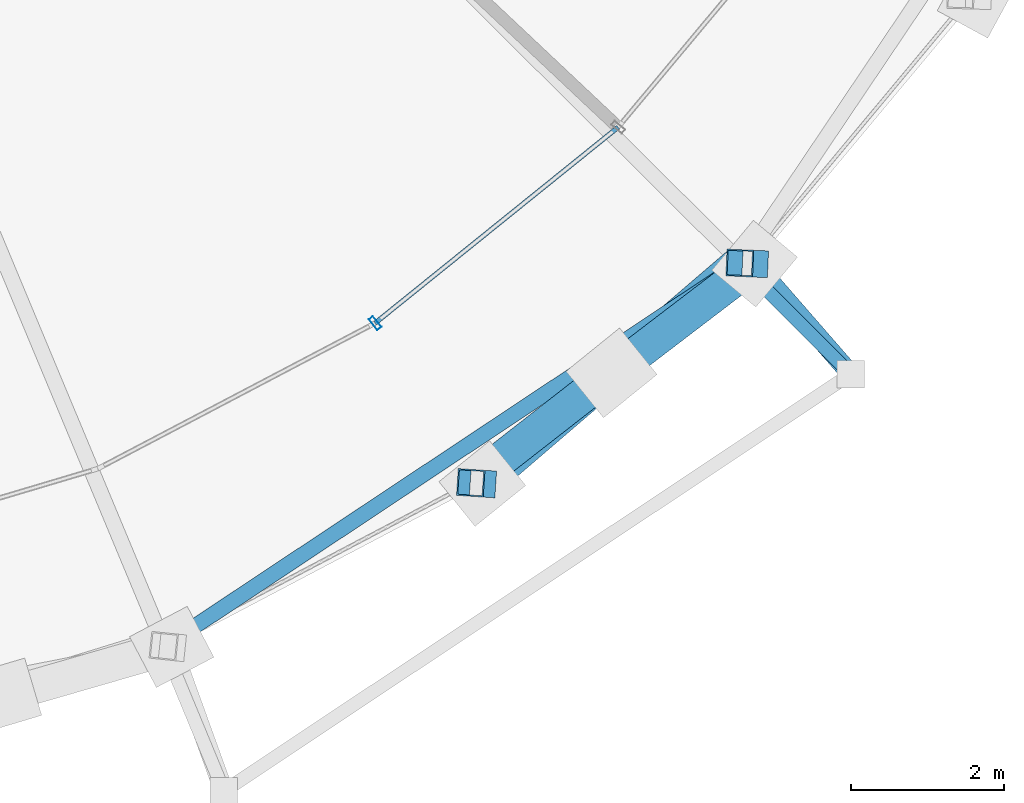
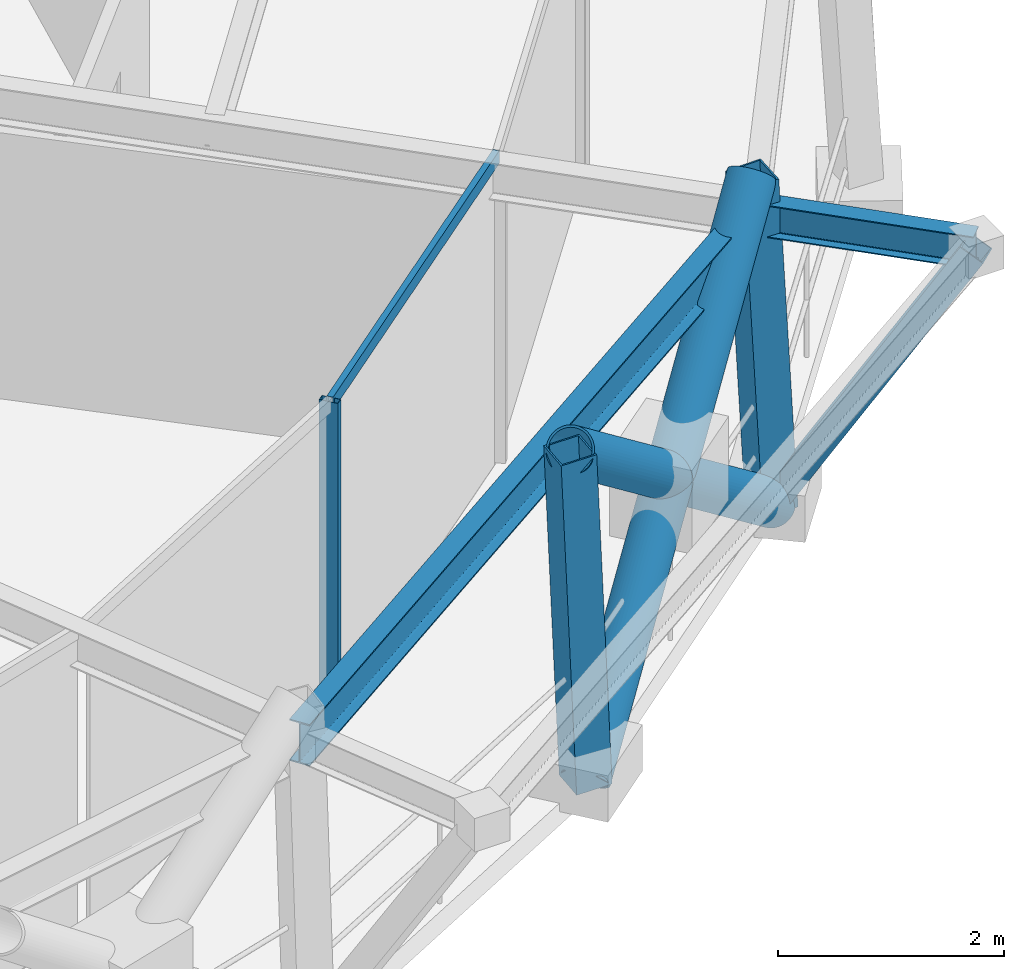
# One storey, part 4 of 18: 8 members, 2 beams, 1 element without a shape of its own.
"""IFC4 building model written with IfcOpenShell, lengths in metres."""

from ifc_helpers import new_model, si_unit, direction, frame, origin, origin_2d, place, context, subcontext, project, spatial, hollow_rectangle, hollow_circle, i_section, extrude, material, layer, layer_set, material_profile, profile_set, type_object, element, aggregate, save


model = new_model("IFC4")

# Units and contexts
model_context = context("Model", 3, precision=1e-05, world=origin(), true_north=direction((0.0, 1.0)))
body_context = subcontext(model_context, "Body", "Model", "MODEL_VIEW")
ifc_project = project(units=[si_unit("LENGTHUNIT", "METRE"), si_unit("AREAUNIT", "SQUARE_METRE"), si_unit("VOLUMEUNIT", "CUBIC_METRE"), si_unit("PLANEANGLEUNIT", "RADIAN"), si_unit("MASSUNIT", "GRAM", prefix="KILO")], contexts=[model_context])

# Site, building, storey
site_placement = place(None, origin())
site = spatial("IfcSite", under=ifc_project, at=site_placement, CompositionType="ELEMENT")
building_placement = place(site_placement, origin())
building = spatial("IfcBuilding", under=site, at=building_placement, Name="Veldorina Hangang Commons", CompositionType="ELEMENT")
storey_placement = place(building_placement, frame((0.0, 0.0, 243.60009765625)))
storey = spatial("IfcBuildingStorey", under=building, at=storey_placement, Name="L63", CompositionType="ELEMENT", Elevation=243.60009765625)

# Beams
ifc_material_1 = material(Name="Steel SM355-TMC", Category="steel")
ifc_material_profile_1 = material_profile(ifc_material_1, i_section(OverallWidth=0.175048828125, OverallDepth=0.35009765625, WebThickness=0.007080078125, FlangeThickness=0.010986328125, FilletRadius=0.012939453125, at=origin_2d()), Name="H-350x175x7x11")
ifc_profile_set_1 = profile_set([ifc_material_profile_1], Name="Steel SM355-TMC")
beam_type_1 = type_object("IfcBeamType", Name="BM-FG350", PredefinedType="BEAM", material=ifc_profile_set_1)
beam_1_placement = place(storey_placement, frame((48.390625, 7.687255859375, 3.184814453125), z_axis=(0.707106781187, -0.707106781187, 0.0), x_axis=(0.707106781187, 0.707106781187, 0.0)))
element("IfcBeam", 1, at=beam_1_placement, inside=storey, type_object=beam_type_1, Name="L64 tree balcony 1 bracket beam B", PredefinedType="BEAM", context=body_context, shape_type="SweptSolid", body=[
    extrude(i_section(OverallWidth=0.175048828125, OverallDepth=0.35009765625, WebThickness=0.007080078125, FlangeThickness=0.010986328125, FilletRadius=0.012939453125, at=origin_2d()), origin(), (0.0, 0.0, 1.0), 2.0498046875),
])
ifc_material_profile_2 = material_profile(ifc_material_1, i_section(OverallWidth=0.199951171875, OverallDepth=0.449951171875, WebThickness=0.009033203125, FlangeThickness=0.013916015625, FilletRadius=0.01611328125, at=origin_2d()), Name="H-450x200x9x14")
ifc_profile_set_2 = profile_set([ifc_material_profile_2], Name="Steel SM355-TMC")
beam_type_2 = type_object("IfcBeamType", Name="BM-RB450", PredefinedType="BEAM", material=ifc_profile_set_2)
beam_2_placement = place(storey_placement, frame((40.884033203125, 2.68505859375, 3.135009765625), z_axis=(0.83305846509, 0.55318495437, 0.0), x_axis=(-0.55318495437, 0.83305846509, 0.0)))
element("IfcBeam", 2, at=beam_2_placement, inside=storey, type_object=beam_type_2, Name="L63 perimeter hoop ring beam 26", PredefinedType="BEAM", context=body_context, shape_type="SweptSolid", body=[
    extrude(i_section(OverallWidth=0.199951171875, OverallDepth=0.449951171875, WebThickness=0.009033203125, FlangeThickness=0.013916015625, FilletRadius=0.01611328125, at=origin_2d()), origin(), (0.0, 0.0, 1.0), 9.040771484375),
])

# Curtain wall, members
ifc_material_2 = material(Name="Glass Low-E Selective", Category="glass")
ifc_layer = layer(ifc_material_2, 0.179931640625)
ifc_layer_set = layer_set([ifc_layer], Name="Glass Low-E Selective")
curtain_wall_type = type_object("IfcCurtainWallType", Name="CW-SYS-Z3", PredefinedType="NOTDEFINED", material=ifc_layer_set)
curtain_wall_placement = place(storey_placement, origin())
curtain_wall = element("IfcCurtainWall", 3, at=curtain_wall_placement, inside=storey, type_object=curtain_wall_type, Name="L63 unitised curtain wall CW-L63-R1", PredefinedType="NOTDEFINED")
ifc_material_3 = material(Name="Aluminium Anodized AA6063-T6", Category="aluminium")
ifc_material_profile_3 = material_profile(ifc_material_3, hollow_rectangle(XDim=0.070068359375, YDim=0.179931640625, WallThickness=0.00390625, at=origin_2d()), Name="ALU-RHS-180x70x4")
ifc_profile_set_3 = profile_set([ifc_material_profile_3], Name="Aluminium Anodized AA6063-T6")
member_type_1 = type_object("IfcMemberType", Name="CW-MUL-180", PredefinedType="MULLION", material=ifc_profile_set_3)
member_1_placement = place(storey_placement, frame((43.6298828125, 6.903564453125, 0.0), z_axis=(0.0, 0.0, 1.0), x_axis=(0.778538982724, 0.627596249495, 0.0)))
member_1 = element("IfcMember", 4, at=member_1_placement, type_object=member_type_1, Name="CW-L63-R1 vertical mullion 2", PredefinedType="MULLION", context=body_context, shape_type="SweptSolid", body=[
    extrude(hollow_rectangle(XDim=0.070068359375, YDim=0.179931640625, WallThickness=0.00390625, at=origin_2d()), origin(), (0.0, 0.0, 1.0), 3.31982421875),
])
ifc_material_profile_4 = material_profile(ifc_material_3, hollow_rectangle(XDim=0.06005859375, YDim=0.139892578125, WallThickness=0.00341796875, at=origin_2d()), Name="ALU-RHS-140x60x3.5")
ifc_profile_set_4 = profile_set([ifc_material_profile_4], Name="Aluminium Anodized AA6063-T6")
member_type_2 = type_object("IfcMemberType", Name="CW-TRN-140", PredefinedType="USERDEFINED", material=ifc_profile_set_4)
member_2_placement = place(storey_placement, frame((43.6298828125, 6.903564453125, 3.27978515625), z_axis=(0.77853675515, 0.62759901281, 0.0), x_axis=(-0.62759901281, 0.77853675515, 0.0)))
member_2 = element("IfcMember", 5, at=member_2_placement, type_object=member_type_2, Name="CW-L63-R1 facet 3 transom 1", ObjectType="TRANSOM", PredefinedType="USERDEFINED", context=body_context, shape_type="SweptSolid", body=[
    extrude(hollow_rectangle(XDim=0.06005859375, YDim=0.139892578125, WallThickness=0.00341796875, at=origin_2d()), origin(), (0.0, 0.0, 1.0), 4.074462890625),
])
aggregate(curtain_wall, [member_1, member_2])

# Members
ifc_material_profile_5 = material_profile(ifc_material_1, hollow_circle(Radius=0.22509765625, WallThickness=0.02197265625, at=origin_2d()), Name="CHS-450x22")
ifc_profile_set_5 = profile_set([ifc_material_profile_5], Name="Steel SM355-TMC")
member_type_3 = type_object("IfcMemberType", Name="DG-CHS450", PredefinedType="BRACE", material=ifc_profile_set_5)
member_3_placement = place(storey_placement, frame((45.02978515625, 4.80810546875, 0.0), z_axis=(0.589134390122, 0.504697215074, 0.63103200511), x_axis=(-0.650586906673, 0.75943181186, 0.0)))
element("IfcMember", 6, at=member_3_placement, inside=storey, type_object=member_type_3, Name="L63 continuous perimeter diagrid brace 27", PredefinedType="BRACE", context=body_context, shape_type="SweptSolid", body=[
    extrude(hollow_circle(Radius=0.22509765625, WallThickness=0.02197265625, at=origin_2d()), origin(), (0.0, 0.0, 1.0), 5.70458984375),
])
member_4_placement = place(storey_placement, frame((48.583984375, 7.6787109375, 0.0), z_axis=(-0.630161736873, -0.481064646188, 0.609485841977), x_axis=(0.606794267391, -0.794858929031, 0.0)))
element("IfcMember", 7, at=member_4_placement, inside=storey, type_object=member_type_3, Name="L63 split perimeter diagrid lower brace 28", PredefinedType="BRACE", context=body_context, shape_type="SweptSolid", body=[
    extrude(hollow_circle(Radius=0.22509765625, WallThickness=0.02197265625, at=origin_2d()), origin(), (0.0, 0.0, 1.0), 2.9638671875),
])
member_5_placement = place(storey_placement, frame((46.71630859375, 6.2529296875, 1.806396484375), z_axis=(-0.624893586574, -0.487715751434, 0.609623942493), x_axis=(0.615266094973, -0.788319498919, 0.0)))
element("IfcMember", 8, at=member_5_placement, inside=storey, type_object=member_type_3, Name="L63 split perimeter diagrid upper brace 28", PredefinedType="BRACE", context=body_context, shape_type="SweptSolid", body=[
    extrude(hollow_circle(Radius=0.22509765625, WallThickness=0.02197265625, at=origin_2d()), origin(), (0.0, 0.0, 1.0), 2.94189453125),
])
ifc_material_profile_6 = material_profile(ifc_material_1, hollow_rectangle(XDim=0.25, YDim=0.25, WallThickness=0.011962890625, at=origin_2d()), Name="SHS-250x250x12")
ifc_profile_set_6 = profile_set([ifc_material_profile_6], Name="Steel SM355-TMC")
member_type_4 = type_object("IfcMemberType", Name="STR-SHS250", PredefinedType="STRUT", material=ifc_profile_set_6)
member_6_placement = place(storey_placement, frame((48.583984375, 7.6787109375, 0.0), z_axis=(0.338167433216, -0.387923069162, 0.857413832128), x_axis=(0.753793817125, 0.65711101137, 0.0)))
element("IfcMember", 9, at=member_6_placement, inside=storey, type_object=member_type_4, Name="L64 tree balcony 1 raking knee strut B", PredefinedType="STRUT", context=body_context, shape_type="SweptSolid", body=[
    extrude(hollow_rectangle(XDim=0.25, YDim=0.25, WallThickness=0.011962890625, at=origin_2d()), origin(), (0.0, 0.0, 1.0), 3.71435546875),
])
ifc_material_profile_7 = material_profile(ifc_material_1, hollow_rectangle(XDim=0.35009765625, YDim=0.35009765625, WallThickness=0.01611328125, at=origin_2d()), Name="SHS-350x350x16")
ifc_profile_set_7 = profile_set([ifc_material_profile_7], Name="Steel SM355-TMC")
member_type_5 = type_object("IfcMemberType", Name="STR-SHS350", PredefinedType="STRUT", material=ifc_profile_set_7)
member_7_placement = place(storey_placement, frame((45.02978515625, 4.80810546875, 0.0), z_axis=(-0.042146146048, 0.002778122167, 0.999107594011), x_axis=(-0.065773661248, -0.997834568196, 0.0)))
element("IfcMember", 10, at=member_7_placement, inside=storey, type_object=member_type_5, Name="L63 perimeter ring node post 27", PredefinedType="STRUT", context=body_context, shape_type="SweptSolid", body=[
    extrude(hollow_rectangle(XDim=0.35009765625, YDim=0.35009765625, WallThickness=0.01611328125, at=origin_2d()), origin(), (0.0, 0.0, 1.0), 3.60302734375),
])
member_8_placement = place(storey_placement, frame((48.583984375, 7.6787109375, 0.0), z_axis=(-0.05363565583, 0.002370262568, 0.99855775911), x_axis=(-0.044148830526, -0.999024965035, 0.0)))
element("IfcMember", 11, at=member_8_placement, inside=storey, type_object=member_type_5, Name="L63 perimeter ring node post 28", PredefinedType="STRUT", context=body_context, shape_type="SweptSolid", body=[
    extrude(hollow_rectangle(XDim=0.35009765625, YDim=0.35009765625, WallThickness=0.01611328125, at=origin_2d()), origin(), (0.0, 0.0, 1.0), 3.60498046875),
])

save(model, "model.ifc")
